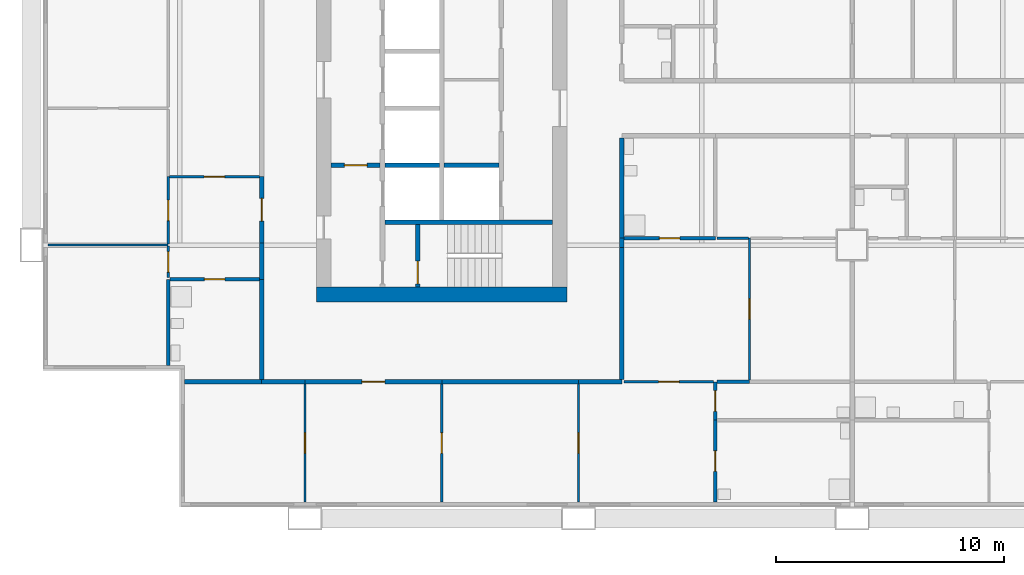
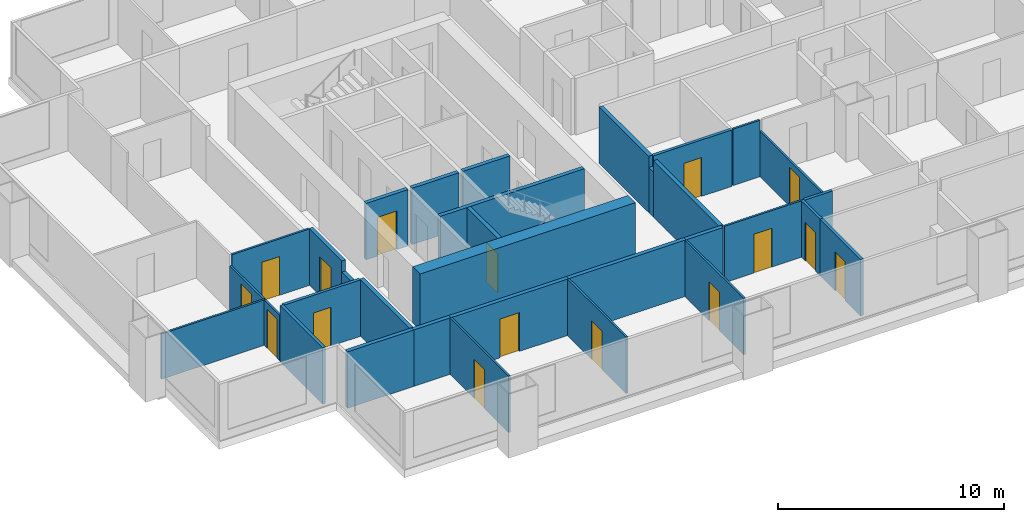
# One storey, part 2 of 11: 33 walls, 16 doors, 16 openings.
"""IFC4 building model written with IfcOpenShell, lengths in metres."""

from ifc_helpers import new_model, si_unit, direction, frame, frame_2d, origin, place, context, subcontext, project, spatial, rectangle, extrude, material, layer, layer_set, type_object, element, fill, save


model = new_model("IFC4")

# Units and contexts
model_context = context("Model", 3, precision=1e-05, world=origin(), true_north=direction((0.0, 1.0)))
body_context = subcontext(model_context, "Body", "Model", "MODEL_VIEW")
ifc_project = project(units=[si_unit("LENGTHUNIT", "METRE"), si_unit("AREAUNIT", "SQUARE_METRE"), si_unit("VOLUMEUNIT", "CUBIC_METRE"), si_unit("PLANEANGLEUNIT", "RADIAN"), si_unit("MASSUNIT", "GRAM", prefix="KILO")], contexts=[model_context])

# Site, building, storey
site_placement = place(None, origin())
site = spatial("IfcSite", under=ifc_project, at=site_placement, CompositionType="ELEMENT")
building_placement = place(site_placement, origin())
building = spatial("IfcBuilding", under=site, at=building_placement, Name="Kitamizu Gate Tower and Museum", CompositionType="ELEMENT")
storey_placement = place(building_placement, frame((0.0, 0.0, 100.050048828125)))
storey = spatial("IfcBuildingStorey", under=building, at=storey_placement, Name="L25", CompositionType="ELEMENT", Elevation=100.050048828125)

# Wall
ifc_material_1 = material(Name="Concrete Fc60", Category="concrete")
ifc_layer_1 = layer(ifc_material_1, 0.64990234375)
ifc_layer_set_1 = layer_set([ifc_layer_1], Name="Concrete Fc60")
wall_type_1 = type_object("IfcWallType", Name="Core wall 650", PredefinedType="SHEAR", material=ifc_layer_set_1)
wall_1_placement = place(storey_placement, frame((12.5, 21.824951171875, 0.0), z_axis=(0.0, 0.0, 1.0), x_axis=(1.0, 0.0, 0.0)))
element("IfcWall", 1, at=wall_1_placement, inside=storey, type_object=wall_type_1, Name="Core wall WS", PredefinedType="SHEAR", context=body_context, shape_type="SweptSolid", body=[
    extrude(rectangle(XDim=11.0, YDim=0.64990234375, at=frame_2d((5.5, 0.0))), origin(), (0.0, 0.0, 1.0), 3.050048828125),
])

# Wall, opening, door
ifc_material_2 = material(Name="Gypsum board on galvanised stud")
ifc_layer_2 = layer(ifc_material_2, 0.10009765625)
ifc_layer_set_2 = layer_set([ifc_layer_2], Name="Gypsum board on galvanised stud")
wall_type_2 = type_object("IfcWallType", Name="Partition 100 NOT RATED", PredefinedType="PARTITIONING", material=ifc_layer_set_2)
wall_2_placement = place(storey_placement, frame((12.0, 12.719970703125, 0.0), z_axis=(0.0, 0.0, 1.0), x_axis=(0.0, 1.0, 0.0)))
wall_2 = element("IfcWall", 2, at=wall_2_placement, inside=storey, type_object=wall_type_2, Name="Partition L25-001", PredefinedType="PARTITIONING", context=body_context, shape_type="SweptSolid", body=[
    extrude(rectangle(XDim=5.179931640625, YDim=0.10009765625, at=frame_2d((2.58984375, 0.0))), origin(), (0.0, 0.0, 1.0), 3.050048828125),
])
opening_1_placement = place(wall_2_placement, frame((2.139892578125, 0.0, 0.0)))
opening_1 = element("IfcOpeningElement", 3, at=opening_1_placement, cuts=wall_2, Name="Opening L25-005", PredefinedType="OPENING", context=body_context, shape_type="SweptSolid", body=[
    extrude(rectangle(XDim=0.89990234375, YDim=2.10009765625, at=frame_2d((0.449951171875, 1.050048828125))), frame((0.0, 0.06005859375, 0.0), z_axis=(0.0, -1.0, 0.0), x_axis=(1.0, 0.0, 0.0)), (0.0, 0.0, 1.0), 0.1201171875),
])
ifc_material_3 = material(Name="Timber door set", Category="wood")
door_type_1 = type_object("IfcDoorType", Name="Room door 900", OperationType="NOTDEFINED", PredefinedType="DOOR", material=ifc_material_3)
door_1_placement = place(opening_1_placement, origin())
door_1 = element("IfcDoor", 4, at=door_1_placement, inside=storey, type_object=door_type_1, Name="Door L25-005", OperationType="SINGLE_SWING_RIGHT", OverallHeight=2.10009765625, OverallWidth=0.89990234375, PredefinedType="DOOR", context=body_context, shape_type="SweptSolid", body=[
    extrude(rectangle(XDim=0.89990234375, YDim=2.10009765625, at=frame_2d((0.449951171875, 1.050048828125))), frame((0.0, 0.02490234375, 0.0), z_axis=(0.0, -1.0, 0.0), x_axis=(1.0, 0.0, 0.0)), (0.0, 0.0, 1.0), 0.050048828125),
])
fill(opening_1, door_1)

wall_3_placement = place(storey_placement, frame((18.0, 12.719970703125, 0.0), z_axis=(0.0, 0.0, 1.0), x_axis=(0.0, 1.0, 0.0)))
wall_3 = element("IfcWall", 5, at=wall_3_placement, inside=storey, type_object=wall_type_2, Name="Partition L25-004", PredefinedType="PARTITIONING", context=body_context, shape_type="SweptSolid", body=[
    extrude(rectangle(XDim=5.179931640625, YDim=0.10009765625, at=frame_2d((2.58984375, 0.0))), origin(), (0.0, 0.0, 1.0), 3.050048828125),
])
opening_2_placement = place(wall_3_placement, frame((2.139892578125, 0.0, 0.0)))
opening_2 = element("IfcOpeningElement", 6, at=opening_2_placement, cuts=wall_3, Name="Opening L25-002", PredefinedType="OPENING", context=body_context, shape_type="SweptSolid", body=[
    extrude(rectangle(XDim=0.89990234375, YDim=2.10009765625, at=frame_2d((0.449951171875, 1.050048828125))), frame((0.0, 0.06005859375, 0.0), z_axis=(0.0, -1.0, 0.0), x_axis=(1.0, 0.0, 0.0)), (0.0, 0.0, 1.0), 0.1201171875),
])
door_2_placement = place(opening_2_placement, frame((0.89990234375, 0.0, 0.0), x_axis=(-1.0, 0.0, 0.0)))
door_2 = element("IfcDoor", 7, at=door_2_placement, inside=storey, type_object=door_type_1, Name="Door L25-002", OperationType="SINGLE_SWING_RIGHT", OverallHeight=2.10009765625, OverallWidth=0.89990234375, PredefinedType="DOOR", context=body_context, shape_type="SweptSolid", body=[
    extrude(rectangle(XDim=0.89990234375, YDim=2.10009765625, at=frame_2d((0.449951171875, 1.050048828125))), frame((0.0, 0.02490234375, 0.0), z_axis=(0.0, -1.0, 0.0), x_axis=(1.0, 0.0, 0.0)), (0.0, 0.0, 1.0), 0.050048828125),
])
fill(opening_2, door_2)

wall_4_placement = place(storey_placement, frame((24.0, 12.719970703125, 0.0), z_axis=(0.0, 0.0, 1.0), x_axis=(0.0, 1.0, 0.0)))
wall_4 = element("IfcWall", 8, at=wall_4_placement, inside=storey, type_object=wall_type_2, Name="Partition L25-006", PredefinedType="PARTITIONING", context=body_context, shape_type="SweptSolid", body=[
    extrude(rectangle(XDim=5.179931640625, YDim=0.10009765625, at=frame_2d((2.58984375, 0.0))), origin(), (0.0, 0.0, 1.0), 3.050048828125),
])
opening_3_placement = place(wall_4_placement, frame((2.139892578125, 0.0, 0.0)))
opening_3 = element("IfcOpeningElement", 9, at=opening_3_placement, cuts=wall_4, Name="Opening L25-003", PredefinedType="OPENING", context=body_context, shape_type="SweptSolid", body=[
    extrude(rectangle(XDim=0.89990234375, YDim=2.10009765625, at=frame_2d((0.449951171875, 1.050048828125))), frame((0.0, 0.06005859375, 0.0), z_axis=(0.0, -1.0, 0.0), x_axis=(1.0, 0.0, 0.0)), (0.0, 0.0, 1.0), 0.1201171875),
])
door_3_placement = place(opening_3_placement, origin())
door_3 = element("IfcDoor", 10, at=door_3_placement, inside=storey, type_object=door_type_1, Name="Door L25-003", OperationType="SINGLE_SWING_RIGHT", OverallHeight=2.10009765625, OverallWidth=0.89990234375, PredefinedType="DOOR", context=body_context, shape_type="SweptSolid", body=[
    extrude(rectangle(XDim=0.89990234375, YDim=2.10009765625, at=frame_2d((0.449951171875, 1.050048828125))), frame((0.0, 0.02490234375, 0.0), z_axis=(0.0, -1.0, 0.0), x_axis=(1.0, 0.0, 0.0)), (0.0, 0.0, 1.0), 0.050048828125),
])
fill(opening_3, door_3)

wall_5_placement = place(storey_placement, frame((29.925048828125, 18.0, 0.0), z_axis=(0.0, 0.0, 1.0), x_axis=(-1.0, 0.0, 0.0)))
wall_5 = element("IfcWall", 11, at=wall_5_placement, inside=storey, type_object=wall_type_2, Name="Partition L25-010", PredefinedType="PARTITIONING", context=body_context, shape_type="SweptSolid", body=[
    extrude(rectangle(XDim=3.925048828125, YDim=0.10009765625, at=frame_2d((1.96240234375, 0.0))), origin(), (0.0, 0.0, 1.0), 3.050048828125),
])
opening_4_placement = place(wall_5_placement, frame((1.512451171875, 0.0, 0.0)))
opening_4 = element("IfcOpeningElement", 12, at=opening_4_placement, cuts=wall_5, Name="Opening L25-007", PredefinedType="OPENING", context=body_context, shape_type="SweptSolid", body=[
    extrude(rectangle(XDim=0.89990234375, YDim=2.10009765625, at=frame_2d((0.449951171875, 1.050048828125))), frame((0.0, 0.06005859375, 0.0), z_axis=(0.0, -1.0, 0.0), x_axis=(1.0, 0.0, 0.0)), (0.0, 0.0, 1.0), 0.1201171875),
])
door_4_placement = place(opening_4_placement, origin())
door_4 = element("IfcDoor", 13, at=door_4_placement, inside=storey, type_object=door_type_1, Name="Door L25-007", OperationType="SINGLE_SWING_RIGHT", OverallHeight=2.10009765625, OverallWidth=0.89990234375, PredefinedType="DOOR", context=body_context, shape_type="SweptSolid", body=[
    extrude(rectangle(XDim=0.89990234375, YDim=2.10009765625, at=frame_2d((0.449951171875, 1.050048828125))), frame((0.0, 0.02490234375, 0.0), z_axis=(0.0, -1.0, 0.0), x_axis=(1.0, 0.0, 0.0)), (0.0, 0.0, 1.0), 0.050048828125),
])
fill(opening_4, door_4)

wall_6_placement = place(storey_placement, frame((31.5, 18.074951171875, 0.0), z_axis=(0.0, 0.0, 1.0), x_axis=(0.0, 1.0, 0.0)))
wall_6 = element("IfcWall", 14, at=wall_6_placement, inside=storey, type_object=wall_type_2, Name="Partition L25-017", PredefinedType="PARTITIONING", context=body_context, shape_type="SweptSolid", body=[
    extrude(rectangle(XDim=6.22509765625, YDim=0.10009765625, at=frame_2d((3.112548828125, 0.0))), origin(), (0.0, 0.0, 1.0), 2.449951171875),
])
opening_5_placement = place(wall_6_placement, frame((2.66259765625, 0.0, 0.0)))
opening_5 = element("IfcOpeningElement", 15, at=opening_5_placement, cuts=wall_6, Name="Opening L25-009", PredefinedType="OPENING", context=body_context, shape_type="SweptSolid", body=[
    extrude(rectangle(XDim=0.89990234375, YDim=2.10009765625, at=frame_2d((0.449951171875, 1.050048828125))), frame((0.0, 0.06005859375, 0.0), z_axis=(0.0, -1.0, 0.0), x_axis=(1.0, 0.0, 0.0)), (0.0, 0.0, 1.0), 0.1201171875),
])
door_5_placement = place(opening_5_placement, frame((0.89990234375, 0.0, 0.0), x_axis=(-1.0, 0.0, 0.0)))
door_5 = element("IfcDoor", 16, at=door_5_placement, inside=storey, type_object=door_type_1, Name="Door L25-009", OperationType="SINGLE_SWING_LEFT", OverallHeight=2.10009765625, OverallWidth=0.89990234375, PredefinedType="DOOR", context=body_context, shape_type="SweptSolid", body=[
    extrude(rectangle(XDim=0.89990234375, YDim=2.10009765625, at=frame_2d((0.449951171875, 1.050048828125))), frame((0.0, 0.02490234375, 0.0), z_axis=(0.0, -1.0, 0.0), x_axis=(1.0, 0.0, 0.0)), (0.0, 0.0, 1.0), 0.050048828125),
])
fill(opening_5, door_5)

# Walls
wall_7_placement = place(storey_placement, frame((31.449951171875, 24.300048828125, 0.0), z_axis=(0.0, 0.0, 1.0), x_axis=(-1.0, 0.0, 0.0)))
element("IfcWall", 17, at=wall_7_placement, inside=storey, type_object=wall_type_2, Name="Partition L25-019", PredefinedType="PARTITIONING", context=body_context, shape_type="SweptSolid", body=[
    extrude(rectangle(XDim=1.375, YDim=0.10009765625, at=frame_2d((0.6875, 0.0))), origin(), (0.0, 0.0, 1.0), 3.050048828125),
])
wall_8_placement = place(storey_placement, frame((6.0, 24.0, 0.0), z_axis=(0.0, 0.0, 1.0), x_axis=(-1.0, 0.0, 0.0)))
element("IfcWall", 18, at=wall_8_placement, inside=storey, type_object=wall_type_2, Name="Partition L25-030", PredefinedType="PARTITIONING", context=body_context, shape_type="SweptSolid", body=[
    extrude(rectangle(XDim=5.280029296875, YDim=0.10009765625, at=frame_2d((2.64013671875, 0.0))), origin(), (0.0, 0.0, 1.0), 2.449951171875),
])

# Wall, opening, door
wall_9_placement = place(storey_placement, frame((6.0, 22.574951171875, 0.0), z_axis=(0.0, 0.0, 1.0), x_axis=(0.0, 1.0, 0.0)))
wall_9 = element("IfcWall", 19, at=wall_9_placement, inside=storey, type_object=wall_type_2, Name="Partition L25-032", PredefinedType="PARTITIONING", context=body_context, shape_type="SweptSolid", body=[
    extrude(rectangle(XDim=1.375, YDim=0.10009765625, at=frame_2d((0.6875, 0.0))), origin(), (0.0, 0.0, 1.0), 2.449951171875),
])
opening_6_placement = place(wall_9_placement, frame((0.237548828125, 0.0, 0.0)))
opening_6 = element("IfcOpeningElement", 20, at=opening_6_placement, cuts=wall_9, Name="Opening L25-012", PredefinedType="OPENING", context=body_context, shape_type="SweptSolid", body=[
    extrude(rectangle(XDim=0.89990234375, YDim=2.10009765625, at=frame_2d((0.449951171875, 1.050048828125))), frame((0.0, 0.06005859375, 0.0), z_axis=(0.0, -1.0, 0.0), x_axis=(1.0, 0.0, 0.0)), (0.0, 0.0, 1.0), 0.1201171875),
])
door_6_placement = place(opening_6_placement, origin())
door_6 = element("IfcDoor", 21, at=door_6_placement, inside=storey, type_object=door_type_1, Name="Door L25-012", OperationType="SINGLE_SWING_LEFT", OverallHeight=2.10009765625, OverallWidth=0.89990234375, PredefinedType="DOOR", context=body_context, shape_type="SweptSolid", body=[
    extrude(rectangle(XDim=0.89990234375, YDim=2.10009765625, at=frame_2d((0.449951171875, 1.050048828125))), frame((0.0, 0.02490234375, 0.0), z_axis=(0.0, -1.0, 0.0), x_axis=(1.0, 0.0, 0.0)), (0.0, 0.0, 1.0), 0.050048828125),
])
fill(opening_6, door_6)

wall_10_placement = place(storey_placement, frame((6.0, 24.050048828125, 0.0), z_axis=(0.0, 0.0, 1.0), x_axis=(0.0, 1.0, 0.0)))
wall_10 = element("IfcWall", 22, at=wall_10_placement, inside=storey, type_object=wall_type_2, Name="Partition L25-034", PredefinedType="PARTITIONING", context=body_context, shape_type="SweptSolid", body=[
    extrude(rectangle(XDim=2.949951171875, YDim=0.10009765625, at=frame_2d((1.47509765625, 0.0))), origin(), (0.0, 0.0, 1.0), 2.449951171875),
])
opening_7_placement = place(wall_10_placement, frame((1.02490234375, 0.0, 0.0)))
opening_7 = element("IfcOpeningElement", 23, at=opening_7_placement, cuts=wall_10, Name="Opening L25-013", PredefinedType="OPENING", context=body_context, shape_type="SweptSolid", body=[
    extrude(rectangle(XDim=0.89990234375, YDim=2.10009765625, at=frame_2d((0.449951171875, 1.050048828125))), frame((0.0, 0.06005859375, 0.0), z_axis=(0.0, -1.0, 0.0), x_axis=(1.0, 0.0, 0.0)), (0.0, 0.0, 1.0), 0.1201171875),
])
door_7_placement = place(opening_7_placement, origin())
door_7 = element("IfcDoor", 24, at=door_7_placement, inside=storey, type_object=door_type_1, Name="Door L25-013", OperationType="SINGLE_SWING_RIGHT", OverallHeight=2.10009765625, OverallWidth=0.89990234375, PredefinedType="DOOR", context=body_context, shape_type="SweptSolid", body=[
    extrude(rectangle(XDim=0.89990234375, YDim=2.10009765625, at=frame_2d((0.449951171875, 1.050048828125))), frame((0.0, 0.02490234375, 0.0), z_axis=(0.0, -1.0, 0.0), x_axis=(1.0, 0.0, 0.0)), (0.0, 0.0, 1.0), 0.050048828125),
])
fill(opening_7, door_7)

wall_11_placement = place(storey_placement, frame((10.0, 27.0, 0.0), z_axis=(0.0, 0.0, 1.0), x_axis=(-1.0, 0.0, 0.0)))
wall_11 = element("IfcWall", 25, at=wall_11_placement, inside=storey, type_object=wall_type_2, Name="Partition L25-041", PredefinedType="PARTITIONING", context=body_context, shape_type="SweptSolid", body=[
    extrude(rectangle(XDim=3.949951171875, YDim=0.10009765625, at=frame_2d((1.97509765625, 0.0))), origin(), (0.0, 0.0, 1.0), 3.050048828125),
])
opening_8_placement = place(wall_11_placement, frame((1.52490234375, 0.0, 0.0)))
opening_8 = element("IfcOpeningElement", 26, at=opening_8_placement, cuts=wall_11, Name="Opening L25-014", PredefinedType="OPENING", context=body_context, shape_type="SweptSolid", body=[
    extrude(rectangle(XDim=0.89990234375, YDim=2.10009765625, at=frame_2d((0.449951171875, 1.050048828125))), frame((0.0, 0.06005859375, 0.0), z_axis=(0.0, -1.0, 0.0), x_axis=(1.0, 0.0, 0.0)), (0.0, 0.0, 1.0), 0.1201171875),
])
door_8_placement = place(opening_8_placement, origin())
door_8 = element("IfcDoor", 27, at=door_8_placement, inside=storey, type_object=door_type_1, Name="Door L25-014", OperationType="SINGLE_SWING_LEFT", OverallHeight=2.10009765625, OverallWidth=0.89990234375, PredefinedType="DOOR", context=body_context, shape_type="SweptSolid", body=[
    extrude(rectangle(XDim=0.89990234375, YDim=2.10009765625, at=frame_2d((0.449951171875, 1.050048828125))), frame((0.0, 0.02490234375, 0.0), z_axis=(0.0, -1.0, 0.0), x_axis=(1.0, 0.0, 0.0)), (0.0, 0.0, 1.0), 0.050048828125),
])
fill(opening_8, door_8)

ifc_material_4 = material(Name="Gypsum board on galvanised stud")
ifc_layer_3 = layer(ifc_material_4, 0.14990234375)
ifc_layer_set_3 = layer_set([ifc_layer_3], Name="Gypsum board on galvanised stud")
wall_type_3 = type_object("IfcWallType", Name="Partition 150", PredefinedType="PARTITIONING", material=ifc_layer_set_3)
wall_12_placement = place(storey_placement, frame((30.0, 12.719970703125, 0.0), z_axis=(0.0, 0.0, 1.0), x_axis=(0.0, 1.0, 0.0)))
wall_12 = element("IfcWall", 28, at=wall_12_placement, inside=storey, type_object=wall_type_3, Name="Partition L25-008", PredefinedType="PARTITIONING", context=body_context, shape_type="SweptSolid", body=[
    extrude(rectangle(XDim=3.60009765625, YDim=0.14990234375, at=frame_2d((1.800048828125, 0.0))), origin(), (0.0, 0.0, 1.0), 3.050048828125),
])
opening_9_placement = place(wall_12_placement, frame((1.35009765625, 0.0, 0.0)))
opening_9 = element("IfcOpeningElement", 29, at=opening_9_placement, cuts=wall_12, Name="Opening L25-004", PredefinedType="OPENING", context=body_context, shape_type="SweptSolid", body=[
    extrude(rectangle(XDim=0.89990234375, YDim=2.10009765625, at=frame_2d((0.449951171875, 1.050048828125))), frame((0.0, 0.0849609375, 0.0), z_axis=(0.0, -1.0, 0.0), x_axis=(1.0, 0.0, 0.0)), (0.0, 0.0, 1.0), 0.169921875),
])
ifc_material_5 = material(Name="Timber door set", Category="wood")
door_type_2 = type_object("IfcDoorType", Name="Bathroom door 900", OperationType="NOTDEFINED", PredefinedType="DOOR", material=ifc_material_5)
door_9_placement = place(opening_9_placement, frame((0.89990234375, 0.0, 0.0), x_axis=(-1.0, 0.0, 0.0)))
door_9 = element("IfcDoor", 30, at=door_9_placement, inside=storey, type_object=door_type_2, Name="Bathroom door L25-004", OperationType="SINGLE_SWING_RIGHT", OverallHeight=2.10009765625, OverallWidth=0.89990234375, PredefinedType="DOOR", context=body_context, shape_type="SweptSolid", body=[
    extrude(rectangle(XDim=0.89990234375, YDim=2.10009765625, at=frame_2d((0.449951171875, 1.050048828125))), frame((0.0, 0.02490234375, 0.0), z_axis=(0.0, -1.0, 0.0), x_axis=(1.0, 0.0, 0.0)), (0.0, 0.0, 1.0), 0.050048828125),
])
fill(opening_9, door_9)

wall_13_placement = place(storey_placement, frame((30.0, 16.320068359375, 0.0), z_axis=(0.0, 0.0, 1.0), x_axis=(0.0, 1.0, 0.0)))
wall_13 = element("IfcWall", 31, at=wall_13_placement, inside=storey, type_object=wall_type_3, Name="Partition L25-009", PredefinedType="PARTITIONING", context=body_context, shape_type="SweptSolid", body=[
    extrude(rectangle(XDim=1.679931640625, YDim=0.14990234375, at=frame_2d((0.83984375, 0.0))), origin(), (0.0, 0.0, 1.0), 3.050048828125),
])
opening_10_placement = place(wall_13_placement, frame((0.389892578125, 0.0, 0.0)))
opening_10 = element("IfcOpeningElement", 32, at=opening_10_placement, cuts=wall_13, Name="Opening L25-006", PredefinedType="OPENING", context=body_context, shape_type="SweptSolid", body=[
    extrude(rectangle(XDim=0.89990234375, YDim=2.10009765625, at=frame_2d((0.449951171875, 1.050048828125))), frame((0.0, 0.0849609375, 0.0), z_axis=(0.0, -1.0, 0.0), x_axis=(1.0, 0.0, 0.0)), (0.0, 0.0, 1.0), 0.169921875),
])
door_10_placement = place(opening_10_placement, frame((0.89990234375, 0.0, 0.0), x_axis=(-1.0, 0.0, 0.0)))
door_10 = element("IfcDoor", 33, at=door_10_placement, inside=storey, type_object=door_type_2, Name="Bathroom door L25-006", OperationType="SINGLE_SWING_RIGHT", OverallHeight=2.10009765625, OverallWidth=0.89990234375, PredefinedType="DOOR", context=body_context, shape_type="SweptSolid", body=[
    extrude(rectangle(XDim=0.89990234375, YDim=2.10009765625, at=frame_2d((0.449951171875, 1.050048828125))), frame((0.0, 0.02490234375, 0.0), z_axis=(0.0, -1.0, 0.0), x_axis=(1.0, 0.0, 0.0)), (0.0, 0.0, 1.0), 0.050048828125),
])
fill(opening_10, door_10)

# Wall
wall_14_placement = place(storey_placement, frame((31.5, 18.0, 0.0), z_axis=(0.0, 0.0, 1.0), x_axis=(-1.0, 0.0, 0.0)))
element("IfcWall", 34, at=wall_14_placement, inside=storey, type_object=wall_type_3, Name="Partition L25-014", PredefinedType="PARTITIONING", context=body_context, shape_type="SweptSolid", body=[
    extrude(rectangle(XDim=1.425048828125, YDim=0.14990234375, at=frame_2d((0.71240234375, 0.0))), origin(), (0.0, 0.0, 1.0), 3.050048828125),
])

# Wall, opening, door
wall_15_placement = place(storey_placement, frame((30.0, 24.300048828125, 0.0), z_axis=(0.0, 0.0, 1.0), x_axis=(-1.0, 0.0, 0.0)))
wall_15 = element("IfcWall", 35, at=wall_15_placement, inside=storey, type_object=wall_type_3, Name="Partition L25-018", PredefinedType="PARTITIONING", context=body_context, shape_type="SweptSolid", body=[
    extrude(rectangle(XDim=4.0, YDim=0.14990234375, at=frame_2d((2.0, 0.0))), origin(), (0.0, 0.0, 1.0), 3.050048828125),
])
opening_11_placement = place(wall_15_placement, frame((1.550048828125, 0.0, 0.0)))
opening_11 = element("IfcOpeningElement", 36, at=opening_11_placement, cuts=wall_15, Name="Opening L25-008", PredefinedType="OPENING", context=body_context, shape_type="SweptSolid", body=[
    extrude(rectangle(XDim=0.89990234375, YDim=2.10009765625, at=frame_2d((0.449951171875, 1.050048828125))), frame((0.0, 0.0849609375, 0.0), z_axis=(0.0, -1.0, 0.0), x_axis=(1.0, 0.0, 0.0)), (0.0, 0.0, 1.0), 0.169921875),
])
door_11_placement = place(opening_11_placement, frame((0.89990234375, 0.0, 0.0), x_axis=(-1.0, 0.0, 0.0)))
door_11 = element("IfcDoor", 37, at=door_11_placement, inside=storey, type_object=door_type_2, Name="Bathroom door L25-008", OperationType="SINGLE_SWING_RIGHT", OverallHeight=2.10009765625, OverallWidth=0.89990234375, PredefinedType="DOOR", context=body_context, shape_type="SweptSolid", body=[
    extrude(rectangle(XDim=0.89990234375, YDim=2.10009765625, at=frame_2d((0.449951171875, 1.050048828125))), frame((0.0, 0.02490234375, 0.0), z_axis=(0.0, -1.0, 0.0), x_axis=(1.0, 0.0, 0.0)), (0.0, 0.0, 1.0), 0.050048828125),
])
fill(opening_11, door_11)

# Wall
wall_16_placement = place(storey_placement, frame((6.0, 18.719970703125, 0.0), z_axis=(0.0, 0.0, 1.0), x_axis=(0.0, 1.0, 0.0)))
element("IfcWall", 38, at=wall_16_placement, inside=storey, type_object=wall_type_3, Name="Partition L25-031", PredefinedType="PARTITIONING", context=body_context, shape_type="SweptSolid", body=[
    extrude(rectangle(XDim=3.780029296875, YDim=0.14990234375, at=frame_2d((1.89013671875, 0.0))), origin(), (0.0, 0.0, 1.0), 3.050048828125),
])

# Wall, opening, door
wall_17_placement = place(storey_placement, frame((10.0, 22.5, 0.0), z_axis=(0.0, 0.0, 1.0), x_axis=(-1.0, 0.0, 0.0)))
wall_17 = element("IfcWall", 39, at=wall_17_placement, inside=storey, type_object=wall_type_3, Name="Partition L25-039", PredefinedType="PARTITIONING", context=body_context, shape_type="SweptSolid", body=[
    extrude(rectangle(XDim=3.925048828125, YDim=0.14990234375, at=frame_2d((1.96240234375, 0.0))), origin(), (0.0, 0.0, 1.0), 3.050048828125),
])
opening_12_placement = place(wall_17_placement, frame((1.512451171875, 0.0, 0.0)))
opening_12 = element("IfcOpeningElement", 40, at=opening_12_placement, cuts=wall_17, Name="Opening L25-016", PredefinedType="OPENING", context=body_context, shape_type="SweptSolid", body=[
    extrude(rectangle(XDim=0.89990234375, YDim=2.10009765625, at=frame_2d((0.449951171875, 1.050048828125))), frame((0.0, 0.0849609375, 0.0), z_axis=(0.0, -1.0, 0.0), x_axis=(1.0, 0.0, 0.0)), (0.0, 0.0, 1.0), 0.169921875),
])
door_12_placement = place(opening_12_placement, origin())
door_12 = element("IfcDoor", 41, at=door_12_placement, inside=storey, type_object=door_type_2, Name="Bathroom door L25-016", OperationType="SINGLE_SWING_LEFT", OverallHeight=2.10009765625, OverallWidth=0.89990234375, PredefinedType="DOOR", context=body_context, shape_type="SweptSolid", body=[
    extrude(rectangle(XDim=0.89990234375, YDim=2.10009765625, at=frame_2d((0.449951171875, 1.050048828125))), frame((0.0, 0.02490234375, 0.0), z_axis=(0.0, -1.0, 0.0), x_axis=(1.0, 0.0, 0.0)), (0.0, 0.0, 1.0), 0.050048828125),
])
fill(opening_12, door_12)

# Walls
ifc_material_6 = material(Name="Gypsum board on galvanised stud")
ifc_layer_4 = layer(ifc_material_6, 0.199951171875)
ifc_layer_set_4 = layer_set([ifc_layer_4], Name="Gypsum board on galvanised stud")
wall_type_4 = type_object("IfcWallType", Name="Partition 200", PredefinedType="PARTITIONING", material=ifc_layer_set_4)
wall_18_placement = place(storey_placement, frame((10.10009765625, 18.0, 0.0), z_axis=(0.0, 0.0, 1.0), x_axis=(-1.0, 0.0, 0.0)))
element("IfcWall", 42, at=wall_18_placement, inside=storey, type_object=wall_type_4, Name="Partition L25-002", PredefinedType="PARTITIONING", context=body_context, shape_type="SweptSolid", body=[
    extrude(rectangle(XDim=3.380126953125, YDim=0.199951171875, at=frame_2d((1.68994140625, 0.0))), origin(), (0.0, 0.0, 1.0), 3.050048828125),
])
wall_19_placement = place(storey_placement, frame((12.0, 18.0, 0.0), z_axis=(0.0, 0.0, 1.0), x_axis=(-1.0, 0.0, 0.0)))
element("IfcWall", 43, at=wall_19_placement, inside=storey, type_object=wall_type_4, Name="Partition L25-003", PredefinedType="PARTITIONING", context=body_context, shape_type="SweptSolid", body=[
    extrude(rectangle(XDim=1.89990234375, YDim=0.199951171875, at=frame_2d((0.949951171875, 0.0))), origin(), (0.0, 0.0, 1.0), 3.050048828125),
])

# Wall, opening, door
wall_20_placement = place(storey_placement, frame((18.0, 18.0, 0.0), z_axis=(0.0, 0.0, 1.0), x_axis=(-1.0, 0.0, 0.0)))
wall_20 = element("IfcWall", 44, at=wall_20_placement, inside=storey, type_object=wall_type_4, Name="Partition L25-005", PredefinedType="PARTITIONING", context=body_context, shape_type="SweptSolid", body=[
    extrude(rectangle(XDim=6.0, YDim=0.199951171875, at=frame_2d((3.0, 0.0))), origin(), (0.0, 0.0, 1.0), 3.050048828125),
])
opening_13_placement = place(wall_20_placement, frame((2.5, 0.0, 0.0)))
opening_13 = element("IfcOpeningElement", 45, at=opening_13_placement, cuts=wall_20, Name="Opening L25-001", PredefinedType="OPENING", context=body_context, shape_type="SweptSolid", body=[
    extrude(rectangle(XDim=1.0, YDim=2.10009765625, at=frame_2d((0.5, 1.050048828125))), frame((0.0, 0.10986328125, 0.0), z_axis=(0.0, -1.0, 0.0), x_axis=(1.0, 0.0, 0.0)), (0.0, 0.0, 1.0), 0.219970703125),
])
ifc_material_7 = material(Name="Timber door set", Category="wood")
door_type_3 = type_object("IfcDoorType", Name="Flat entrance door 1000", OperationType="NOTDEFINED", PredefinedType="DOOR", material=ifc_material_7)
door_13_placement = place(opening_13_placement, origin())
door_13 = element("IfcDoor", 46, at=door_13_placement, inside=storey, type_object=door_type_3, Name="Flat entrance door L25-001", OperationType="SINGLE_SWING_RIGHT", OverallHeight=2.10009765625, OverallWidth=1.0, PredefinedType="DOOR", context=body_context, shape_type="SweptSolid", body=[
    extrude(rectangle(XDim=1.0, YDim=2.10009765625, at=frame_2d((0.5, 1.050048828125))), frame((0.0, 0.02490234375, 0.0), z_axis=(0.0, -1.0, 0.0), x_axis=(1.0, 0.0, 0.0)), (0.0, 0.0, 1.0), 0.050048828125),
])
fill(opening_13, door_13)

# Walls
wall_21_placement = place(storey_placement, frame((24.0, 18.0, 0.0), z_axis=(0.0, 0.0, 1.0), x_axis=(-1.0, 0.0, 0.0)))
element("IfcWall", 47, at=wall_21_placement, inside=storey, type_object=wall_type_4, Name="Partition L25-007", PredefinedType="PARTITIONING", context=body_context, shape_type="SweptSolid", body=[
    extrude(rectangle(XDim=6.0, YDim=0.199951171875, at=frame_2d((3.0, 0.0))), origin(), (0.0, 0.0, 1.0), 3.050048828125),
])
wall_22_placement = place(storey_placement, frame((25.89990234375, 18.0, 0.0), z_axis=(0.0, 0.0, 1.0), x_axis=(-1.0, 0.0, 0.0)))
element("IfcWall", 48, at=wall_22_placement, inside=storey, type_object=wall_type_4, Name="Partition L25-011", PredefinedType="PARTITIONING", context=body_context, shape_type="SweptSolid", body=[
    extrude(rectangle(XDim=1.89990234375, YDim=0.199951171875, at=frame_2d((0.949951171875, 0.0))), origin(), (0.0, 0.0, 1.0), 3.050048828125),
])
wall_23_placement = place(storey_placement, frame((25.89990234375, 24.300048828125, 0.0), z_axis=(0.0, 0.0, 1.0), x_axis=(0.0, -1.0, 0.0)))
element("IfcWall", 49, at=wall_23_placement, inside=storey, type_object=wall_type_4, Name="Partition L25-020", PredefinedType="PARTITIONING", context=body_context, shape_type="SweptSolid", body=[
    extrude(rectangle(XDim=0.400146484375, YDim=0.199951171875, at=frame_2d((0.2001953125, 0.0))), origin(), (0.0, 0.0, 1.0), 2.449951171875),
])
wall_24_placement = place(storey_placement, frame((25.89990234375, 23.89990234375, 0.0), z_axis=(0.0, 0.0, 1.0), x_axis=(0.0, -1.0, 0.0)))
element("IfcWall", 50, at=wall_24_placement, inside=storey, type_object=wall_type_4, Name="Partition L25-021", PredefinedType="PARTITIONING", context=body_context, shape_type="SweptSolid", body=[
    extrude(rectangle(XDim=5.7998046875, YDim=0.199951171875, at=frame_2d((2.89990234375, 0.0))), origin(), (0.0, 0.0, 1.0), 3.050048828125),
])
for number, where, z_axis, x_axis, name in (
    (51, (25.89990234375, 28.699951171875, 0.0), (0.0, 0.0, 1.0), (0.0, -1.0, 0.0), "Partition L25-026"),
    (52, (10.10009765625, 18.10009765625, 0.0), (0.0, 0.0, 1.0), (0.0, 1.0, 0.0), "Partition L25-040"),
):
    element("IfcWall", number, at=place(storey_placement, frame(where, z_axis=z_axis, x_axis=x_axis)), inside=storey, type_object=wall_type_4, Name=name, PredefinedType="PARTITIONING", context=body_context, shape_type="SweptSolid", body=[
        extrude(rectangle(XDim=4.39990234375, YDim=0.199951171875, at=frame_2d((2.199951171875, 0.0))), origin(), (0.0, 0.0, 1.0), 3.050048828125),
    ])
wall_25_placement = place(storey_placement, frame((10.10009765625, 22.5, 0.0), z_axis=(0.0, 0.0, 1.0), x_axis=(0.0, 1.0, 0.0)))
element("IfcWall", 53, at=wall_25_placement, inside=storey, type_object=wall_type_4, Name="Partition L25-042", PredefinedType="PARTITIONING", context=body_context, shape_type="SweptSolid", body=[
    extrude(rectangle(XDim=1.60009765625, YDim=0.199951171875, at=frame_2d((0.800048828125, 0.0))), origin(), (0.0, 0.0, 1.0), 2.449951171875),
])

# Wall, opening, door
wall_26_placement = place(storey_placement, frame((10.10009765625, 24.10009765625, 0.0), z_axis=(0.0, 0.0, 1.0), x_axis=(0.0, 1.0, 0.0)))
wall_26 = element("IfcWall", 54, at=wall_26_placement, inside=storey, type_object=wall_type_4, Name="Partition L25-043", PredefinedType="PARTITIONING", context=body_context, shape_type="SweptSolid", body=[
    extrude(rectangle(XDim=2.89990234375, YDim=0.199951171875, at=frame_2d((1.449951171875, 0.0))), origin(), (0.0, 0.0, 1.0), 3.050048828125),
])
opening_14_placement = place(wall_26_placement, frame((0.949951171875, 0.0, 0.0)))
opening_14 = element("IfcOpeningElement", 55, at=opening_14_placement, cuts=wall_26, Name="Opening L25-011", PredefinedType="OPENING", context=body_context, shape_type="SweptSolid", body=[
    extrude(rectangle(XDim=1.0, YDim=2.10009765625, at=frame_2d((0.5, 1.050048828125))), frame((0.0, 0.10986328125, 0.0), z_axis=(0.0, -1.0, 0.0), x_axis=(1.0, 0.0, 0.0)), (0.0, 0.0, 1.0), 0.219970703125),
])
door_14_placement = place(opening_14_placement, origin())
door_14 = element("IfcDoor", 56, at=door_14_placement, inside=storey, type_object=door_type_3, Name="Flat entrance door L25-011", OperationType="SINGLE_SWING_LEFT", OverallHeight=2.10009765625, OverallWidth=1.0, PredefinedType="DOOR", context=body_context, shape_type="SweptSolid", body=[
    extrude(rectangle(XDim=1.0, YDim=2.10009765625, at=frame_2d((0.5, 1.050048828125))), frame((0.0, 0.02490234375, 0.0), z_axis=(0.0, -1.0, 0.0), x_axis=(1.0, 0.0, 0.0)), (0.0, 0.0, 1.0), 0.050048828125),
])
fill(opening_14, door_14)

# Wall
ifc_material_8 = material(Name="Concrete Fc42", Category="concrete")
ifc_layer_5 = layer(ifc_material_8, 0.199951171875)
ifc_layer_set_5 = layer_set([ifc_layer_5], Name="Concrete Fc42")
wall_type_5 = type_object("IfcWallType", Name="Shaft wall 200", PredefinedType="SOLIDWALL", material=ifc_layer_set_5)
wall_27_placement = place(storey_placement, frame((15.5, 25.0, 0.0), z_axis=(0.0, 0.0, 1.0), x_axis=(1.0, 0.0, 0.0)))
element("IfcWall", 57, at=wall_27_placement, inside=storey, type_object=wall_type_5, Name="Shaft wall WSB", PredefinedType="SOLIDWALL", context=body_context, shape_type="SweptSolid", body=[
    extrude(rectangle(XDim=7.35009765625, YDim=0.199951171875, at=frame_2d((3.675048828125, 0.0))), origin(), (0.0, 0.0, 1.0), 3.050048828125),
])

# Wall, opening, door
wall_28_placement = place(storey_placement, frame((13.14990234375, 27.5, 0.0), z_axis=(0.0, 0.0, 1.0), x_axis=(1.0, 0.0, 0.0)))
wall_28 = element("IfcWall", 58, at=wall_28_placement, inside=storey, type_object=wall_type_5, Name="Shaft wall WFFN", PredefinedType="SOLIDWALL", context=body_context, shape_type="SweptSolid", body=[
    extrude(rectangle(XDim=2.150146484375, YDim=0.199951171875, at=frame_2d((1.0751953125, 0.0))), origin(), (0.0, 0.0, 1.0), 3.050048828125),
])
opening_15_placement = place(wall_28_placement, frame((0.574951171875, 0.0, 0.0)))
opening_15 = element("IfcOpeningElement", 59, at=opening_15_placement, cuts=wall_28, Name="Opening L25-060", PredefinedType="OPENING", context=body_context, shape_type="SweptSolid", body=[
    extrude(rectangle(XDim=1.0, YDim=2.10009765625, at=frame_2d((0.5, 1.050048828125))), frame((0.0, 0.10986328125, 0.0), z_axis=(0.0, -1.0, 0.0), x_axis=(1.0, 0.0, 0.0)), (0.0, 0.0, 1.0), 0.219970703125),
])
ifc_material_9 = material(Name="Hollow metal door set")
door_type_4 = type_object("IfcDoorType", Name="Fire door 1000", OperationType="NOTDEFINED", PredefinedType="DOOR", material=ifc_material_9)
door_15_placement = place(opening_15_placement, frame((1.0, 0.0, 0.0), x_axis=(-1.0, 0.0, 0.0)))
door_15 = element("IfcDoor", 60, at=door_15_placement, inside=storey, type_object=door_type_4, Name="Fire-fighting lobby door L25-060", OperationType="SINGLE_SWING_LEFT", OverallHeight=2.10009765625, OverallWidth=1.0, PredefinedType="DOOR", context=body_context, shape_type="SweptSolid", body=[
    extrude(rectangle(XDim=1.0, YDim=2.10009765625, at=frame_2d((0.5, 1.050048828125))), frame((0.0, 0.02490234375, 0.0), z_axis=(0.0, -1.0, 0.0), x_axis=(1.0, 0.0, 0.0)), (0.0, 0.0, 1.0), 0.050048828125),
])
fill(opening_15, door_15)

wall_29_placement = place(storey_placement, frame((16.949951171875, 22.14990234375, 0.0), z_axis=(0.0, 0.0, 1.0), x_axis=(0.0, 1.0, 0.0)))
wall_29 = element("IfcWall", 61, at=wall_29_placement, inside=storey, type_object=wall_type_5, Name="Shaft wall WSZ", PredefinedType="SOLIDWALL", context=body_context, shape_type="SweptSolid", body=[
    extrude(rectangle(XDim=2.75, YDim=0.199951171875, at=frame_2d((1.375, 0.0))), origin(), (0.0, 0.0, 1.0), 3.050048828125),
])
opening_16_placement = place(wall_29_placement, frame((0.14990234375, 0.0, 0.0)))
opening_16 = element("IfcOpeningElement", 62, at=opening_16_placement, cuts=wall_29, Name="Opening L25-056", PredefinedType="OPENING", context=body_context, shape_type="SweptSolid", body=[
    extrude(rectangle(XDim=1.0, YDim=2.10009765625, at=frame_2d((0.5, 1.050048828125))), frame((0.0, 0.10986328125, 0.0), z_axis=(0.0, -1.0, 0.0), x_axis=(1.0, 0.0, 0.0)), (0.0, 0.0, 1.0), 0.219970703125),
])
door_16_placement = place(opening_16_placement, frame((1.0, 0.0, 0.0), x_axis=(-1.0, 0.0, 0.0)))
door_16 = element("IfcDoor", 63, at=door_16_placement, inside=storey, type_object=door_type_4, Name="Stair door L25-056", OperationType="SINGLE_SWING_LEFT", OverallHeight=2.10009765625, OverallWidth=1.0, PredefinedType="DOOR", context=body_context, shape_type="SweptSolid", body=[
    extrude(rectangle(XDim=1.0, YDim=2.10009765625, at=frame_2d((0.5, 1.050048828125))), frame((0.0, 0.02490234375, 0.0), z_axis=(0.0, -1.0, 0.0), x_axis=(1.0, 0.0, 0.0)), (0.0, 0.0, 1.0), 0.050048828125),
])
fill(opening_16, door_16)

# Walls
for number, where, z_axis, x_axis, name in (
    (64, (15.5, 27.5, 0.0), (0.0, 0.0, 1.0), (1.0, 0.0, 0.0), "Shaft wall WDVW0"),
    (65, (18.10009765625, 27.5, 0.0), (0.0, 0.0, 1.0), (1.0, 0.0, 0.0), "Shaft wall WDVE0"),
):
    element("IfcWall", number, at=place(storey_placement, frame(where, z_axis=z_axis, x_axis=x_axis)), inside=storey, type_object=wall_type_5, Name=name, PredefinedType="SOLIDWALL", context=body_context, shape_type="SweptSolid", body=[
        extrude(rectangle(XDim=2.39990234375, YDim=0.199951171875, at=frame_2d((1.199951171875, 0.0))), origin(), (0.0, 0.0, 1.0), 3.050048828125),
    ])

save(model, "model.ifc")
